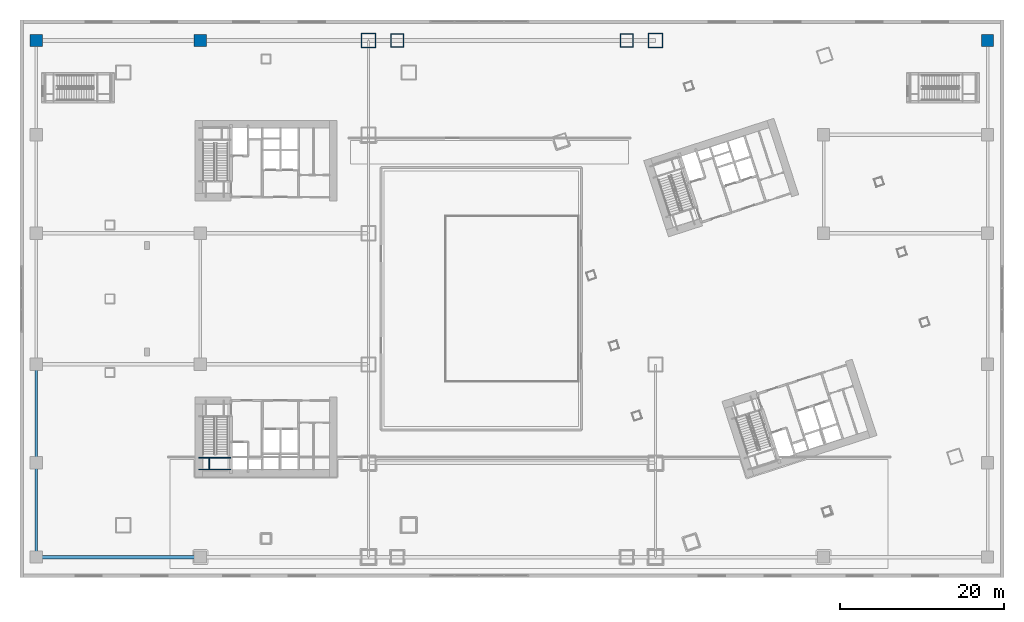
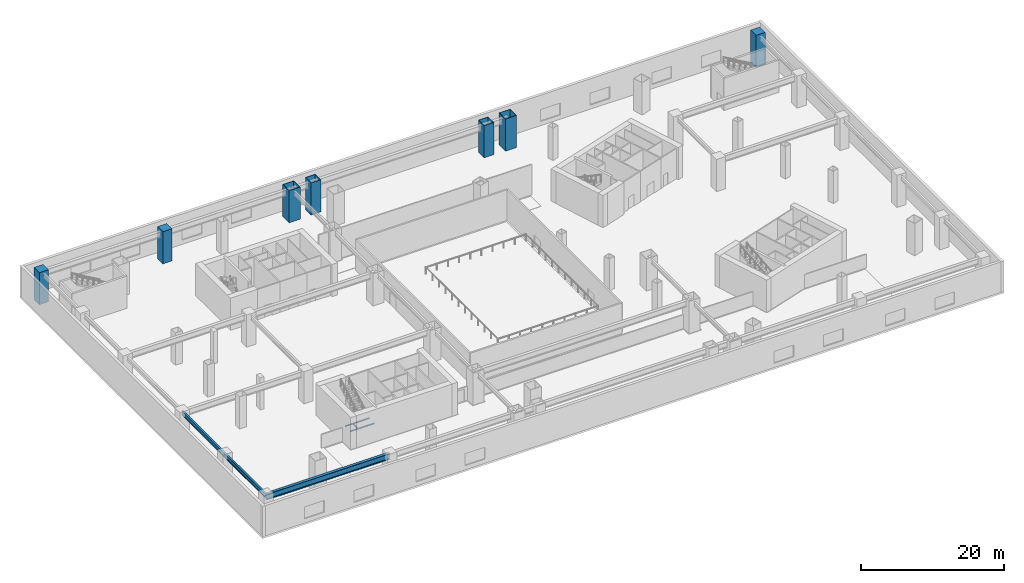
# One storey, part 3 of 35: 7 columns, 6 beams.
"""IFC4 building model written with IfcOpenShell, lengths in metres."""

from ifc_helpers import new_model, si_unit, direction, frame, origin, origin_2d, place, context, subcontext, project, spatial, rectangle, hollow_rectangle, i_section, extrude, material, material_profile, profile_set, type_object, element, save


model = new_model("IFC4")

# Units and contexts
model_context = context("Model", 3, precision=1e-05, world=origin(), true_north=direction((0.0, 1.0)))
body_context = subcontext(model_context, "Body", "Model", "MODEL_VIEW")
ifc_project = project(units=[si_unit("LENGTHUNIT", "METRE"), si_unit("AREAUNIT", "SQUARE_METRE"), si_unit("VOLUMEUNIT", "CUBIC_METRE"), si_unit("PLANEANGLEUNIT", "RADIAN"), si_unit("MASSUNIT", "GRAM", prefix="KILO")], contexts=[model_context])

# Site, building, storey
site_placement = place(None, origin())
site = spatial("IfcSite", under=ifc_project, at=site_placement, CompositionType="ELEMENT")
building_placement = place(site_placement, origin())
building = spatial("IfcBuilding", under=site, at=building_placement, Name="Qiaolan Cultural Towers", CompositionType="ELEMENT")
storey_placement = place(building_placement, frame((0.0, 0.0, 6.0)))
storey = spatial("IfcBuildingStorey", under=building, at=storey_placement, Name="L01", CompositionType="ELEMENT", Elevation=6.0)

# Columns
ifc_material_1 = material(Name="Steel Q420GJB", Category="steel")
ifc_material_profile_1 = material_profile(ifc_material_1, hollow_rectangle(XDim=1.60009765625, YDim=1.60009765625, WallThickness=0.054931640625, at=origin_2d()), Name="BOX1600x1600x55")
ifc_profile_set_1 = profile_set([ifc_material_profile_1], Name="Steel Q420GJB")
column_type_1 = type_object("IfcColumnType", Name="COL-BOX1600x1600x55", PredefinedType="COLUMN", material=ifc_profile_set_1)
for number, where, z_axis, x_axis, name in (
    (1, (46.0, 65.5, 0.0), (0.0, 0.0, 1.0), (1.0, 0.0, 0.0), "L01 Podium Column PC-MID-46-65"),
    (2, (74.0, 65.5, 0.0), (0.0, 0.0, 1.0), (1.0, 0.0, 0.0), "L01 Podium Column PC-MID-74-65"),
):
    element("IfcColumn", number, at=place(storey_placement, frame(where, z_axis=z_axis, x_axis=x_axis)), inside=storey, type_object=column_type_1, Name=name, PredefinedType="COLUMN", context=body_context, shape_type="SweptSolid", body=[
        extrude(hollow_rectangle(XDim=1.60009765625, YDim=1.60009765625, WallThickness=0.054931640625, at=origin_2d()), origin(), (0.0, 0.0, 1.0), 5.5009765625),
    ])
ifc_material_2 = material(Name="Steel Q420GJB", Category="steel")
ifc_material_profile_2 = material_profile(ifc_material_2, hollow_rectangle(XDim=1.800048828125, YDim=1.800048828125, WallThickness=0.06005859375, at=origin_2d()), Name="BOX1800x1800x60")
ifc_profile_set_2 = profile_set([ifc_material_profile_2], Name="Steel Q420GJB")
column_type_2 = type_object("IfcColumnType", Name="COL-BOX1800x1800x60", PredefinedType="COLUMN", material=ifc_profile_set_2)
for number, where, z_axis, x_axis, name in (
    (3, (42.5, 65.5, 0.0), (0.0, 0.0, 1.0), (1.0, 0.0, 0.0), "L01 Podium Column PC-42-65"),
    (4, (77.5, 65.5, 0.0), (0.0, 0.0, 1.0), (1.0, 0.0, 0.0), "L01 Podium Column PC-77-65"),
):
    element("IfcColumn", number, at=place(storey_placement, frame(where, z_axis=z_axis, x_axis=x_axis)), inside=storey, type_object=column_type_2, Name=name, PredefinedType="COLUMN", context=body_context, shape_type="SweptSolid", body=[
        extrude(hollow_rectangle(XDim=1.800048828125, YDim=1.800048828125, WallThickness=0.06005859375, at=origin_2d()), origin(), (0.0, 0.0, 1.0), 5.5009765625),
    ])
ifc_material_3 = material(Name="Concrete C60", Category="concrete")
ifc_material_profile_3 = material_profile(ifc_material_3, rectangle(XDim=1.5, YDim=1.5, at=origin_2d()), Name="RC1500x1500")
ifc_profile_set_3 = profile_set([ifc_material_profile_3], Name="Concrete C60")
column_type_3 = type_object("IfcColumnType", Name="COL-RC1500x1500", PredefinedType="COLUMN", material=ifc_profile_set_3)
for number, where, z_axis, x_axis, name in (
    (5, (2.0, 65.5, 0.0), (0.0, 0.0, 1.0), (1.0, 0.0, 0.0), "L01 Podium Column PC-2-65"),
    (6, (22.0, 65.5, 0.0), (0.0, 0.0, 1.0), (1.0, 0.0, 0.0), "L01 Podium Column PC-22-65"),
    (7, (118.0, 65.5, 0.0), (0.0, 0.0, 1.0), (1.0, 0.0, 0.0), "L01 Podium Column PC-118-65"),
):
    element("IfcColumn", number, at=place(storey_placement, frame(where, z_axis=z_axis, x_axis=x_axis)), inside=storey, type_object=column_type_3, Name=name, PredefinedType="COLUMN", context=body_context, shape_type="SweptSolid", body=[
        extrude(rectangle(XDim=1.5, YDim=1.5, at=origin_2d()), origin(), (0.0, 0.0, 1.0), 5.5009765625),
    ])

# Beams
ifc_material_4 = material(Name="Steel Q390GJB", Category="steel")
ifc_material_profile_4 = material_profile(ifc_material_4, i_section(OverallWidth=0.449951171875, OverallDepth=1.0, WebThickness=0.02392578125, FlangeThickness=0.0400390625, at=origin_2d()), Name="BH1000x450x24x40")
ifc_profile_set_4 = profile_set([ifc_material_profile_4], Name="Steel Q390GJB")
beam_type_1 = type_object("IfcBeamType", Name="BM-BH1000x450x24x40", PredefinedType="BEAM", material=ifc_profile_set_4)
beam_1_placement = place(storey_placement, frame((2.0, 2.5, 4.699951171875), z_axis=(1.0, 0.0, 0.0), x_axis=(0.0, 1.0, 0.0)))
element("IfcBeam", 8, at=beam_1_placement, inside=storey, type_object=beam_type_1, Name="L01 Podium Primary Girder Y=2.5", PredefinedType="BEAM", context=body_context, shape_type="SweptSolid", body=[
    extrude(i_section(OverallWidth=0.449951171875, OverallDepth=1.0, WebThickness=0.02392578125, FlangeThickness=0.0400390625, at=origin_2d()), origin(), (0.0, 0.0, 1.0), 20.0),
])
ifc_material_5 = material(Name="Steel Q355B", Category="steel")
ifc_material_profile_5 = material_profile(ifc_material_5, i_section(OverallWidth=0.300048828125, OverallDepth=0.699951171875, WebThickness=0.012939453125, FlangeThickness=0.02392578125, at=origin_2d()), Name="HN700x300x13x24")
ifc_profile_set_5 = profile_set([ifc_material_profile_5], Name="Steel Q355B")
beam_type_2 = type_object("IfcBeamType", Name="BM-HN700x300x13x24", PredefinedType="BEAM", material=ifc_profile_set_5)
beam_2_placement = place(storey_placement, frame((2.0, 2.5, 4.85009765625), z_axis=(0.0, 1.0, 0.0), x_axis=(-1.0, 0.0, 0.0)))
element("IfcBeam", 9, at=beam_2_placement, inside=storey, type_object=beam_type_2, Name="L01 Podium Transverse Beam X=2.0", PredefinedType="BEAM", context=body_context, shape_type="SweptSolid", body=[
    extrude(i_section(OverallWidth=0.300048828125, OverallDepth=0.699951171875, WebThickness=0.012939453125, FlangeThickness=0.02392578125, at=origin_2d()), origin(), (0.0, 0.0, 1.0), 11.5),
])
beam_3_placement = place(storey_placement, frame((2.0, 14.0, 4.85009765625), z_axis=(0.0, 1.0, 0.0), x_axis=(-1.0, 0.0, 0.0)))
element("IfcBeam", 10, at=beam_3_placement, inside=storey, type_object=beam_type_2, Name="L01 Podium Transverse Beam X=2.0", PredefinedType="BEAM", context=body_context, shape_type="SweptSolid", body=[
    extrude(i_section(OverallWidth=0.300048828125, OverallDepth=0.699951171875, WebThickness=0.012939453125, FlangeThickness=0.02392578125, at=origin_2d()), origin(), (0.0, 0.0, 1.0), 12.0),
])
ifc_material_6 = material(Name="Steel Q355B", Category="steel")
ifc_material_profile_6 = material_profile(ifc_material_6, i_section(OverallWidth=0.10009765625, OverallDepth=0.199951171875, WebThickness=0.005615234375, FlangeThickness=0.008056640625, at=origin_2d()), Name="HN200x100x5.5x8")
ifc_profile_set_6 = profile_set([ifc_material_profile_6], Name="Steel Q355B")
beam_type_3 = type_object("IfcBeamType", Name="BM-STTRIM-200", PredefinedType="BEAM", material=ifc_profile_set_6)
for number, where, z_axis, x_axis, name in (
    (11, (21.800048828125, 14.611328125, 2.449951171875), (1.0, 0.0, 0.0), (0.0, 1.0, 0.0), "L01 ST-W1 Stair Landing Support Beam 1-1"),
    (12, (21.800048828125, 13.179931640625, 2.449951171875), (1.0, 0.0, 0.0), (0.0, 1.0, 0.0), "L01 ST-W1 Stair Landing Support Beam 1-2"),
):
    element("IfcBeam", number, at=place(storey_placement, frame(where, z_axis=z_axis, x_axis=x_axis)), inside=storey, type_object=beam_type_3, Name=name, PredefinedType="BEAM", context=body_context, shape_type="SweptSolid", body=[
        extrude(i_section(OverallWidth=0.10009765625, OverallDepth=0.199951171875, WebThickness=0.005615234375, FlangeThickness=0.008056640625, at=origin_2d()), origin(), (0.0, 0.0, 1.0), 3.919921875),
    ])
beam_4_placement = place(storey_placement, frame((23.070068359375, 14.611328125, 2.449951171875), z_axis=(0.0, -1.0, 0.0), x_axis=(1.0, 0.0, 0.0)))
element("IfcBeam", 13, at=beam_4_placement, inside=storey, type_object=beam_type_3, Name="L01 ST-W1 Stair Landing Trimmer 1", PredefinedType="BEAM", context=body_context, shape_type="SweptSolid", body=[
    extrude(i_section(OverallWidth=0.10009765625, OverallDepth=0.199951171875, WebThickness=0.005615234375, FlangeThickness=0.008056640625, at=origin_2d()), origin(), (0.0, 0.0, 1.0), 1.431396484375),
])

save(model, "model.ifc")
